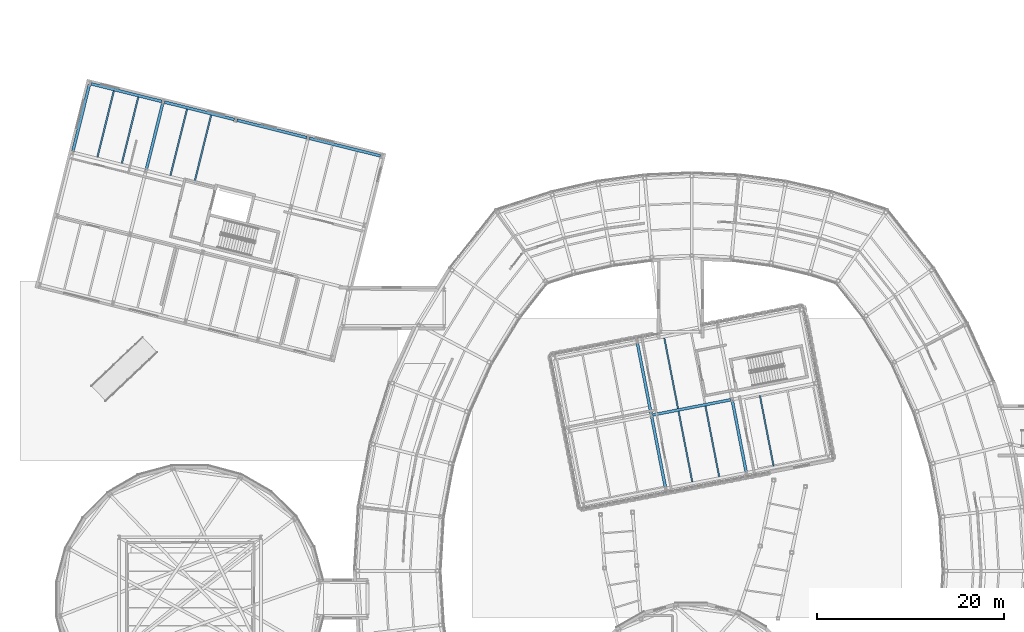
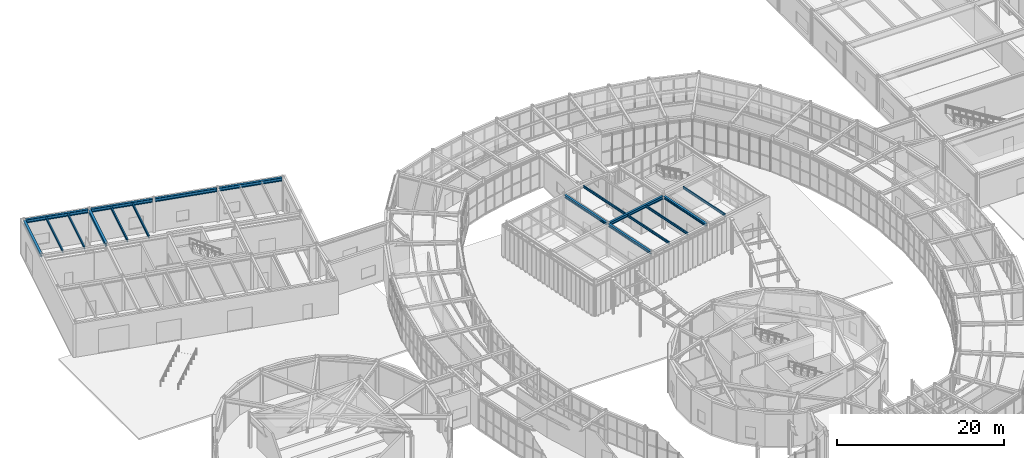
# One storey, part 44 of 97: 18 beams.
"""IFC4 building model written with IfcOpenShell, lengths in metres."""

from ifc_helpers import new_model, si_unit, direction, frame, origin, origin_2d, place, context, subcontext, project, spatial, i_section, extrude, material, material_profile, profile_set, type_object, element, save


model = new_model("IFC4")

# Units and contexts
model_context = context("Model", 3, precision=1e-05, world=origin(), true_north=direction((0.0, 1.0)))
body_context = subcontext(model_context, "Body", "Model", "MODEL_VIEW")
ifc_project = project(units=[si_unit("LENGTHUNIT", "METRE"), si_unit("AREAUNIT", "SQUARE_METRE"), si_unit("VOLUMEUNIT", "CUBIC_METRE"), si_unit("PLANEANGLEUNIT", "RADIAN"), si_unit("MASSUNIT", "GRAM", prefix="KILO")], contexts=[model_context])

# Site, building, storey
site_placement = place(None, origin())
site = spatial("IfcSite", under=ifc_project, at=site_placement, CompositionType="ELEMENT")
building_placement = place(site_placement, origin())
building = spatial("IfcBuilding", under=site, at=building_placement, Name="Varnklinge Art Gallery", CompositionType="ELEMENT")
storey_placement = place(building_placement, origin())
storey = spatial("IfcBuildingStorey", under=building, at=storey_placement, Name="L00", CompositionType="ELEMENT", Elevation=0.0)

# Beams
ifc_material_1 = material(Name="Steel S355", Category="steel")
ifc_material_profile_1 = material_profile(ifc_material_1, i_section(OverallWidth=0.300048828125, OverallDepth=0.489990234375, WebThickness=0.011962890625, FlangeThickness=0.02294921875, FilletRadius=0.027099609375, at=origin_2d()), Name="HEA 500")
ifc_profile_set_1 = profile_set([ifc_material_profile_1], Name="Steel S355")
beam_type_1 = type_object("IfcBeamType", Name="BM-07", PredefinedType="BEAM", material=ifc_profile_set_1)
beam_1_placement = place(storey_placement, frame((11.199462890625, 107.13134765625, 4.635009765625), z_axis=(0.970294736921, -0.241925863651, 0.0), x_axis=(0.241925863651, 0.970294736921, 0.0)))
element("IfcBeam", 1, at=beam_1_placement, inside=storey, type_object=beam_type_1, Name="L00 BM-07 BM-V5-L01-U3-0", PredefinedType="BEAM", context=body_context, shape_type="SweptSolid", body=[
    extrude(i_section(OverallWidth=0.300048828125, OverallDepth=0.489990234375, WebThickness=0.011962890625, FlangeThickness=0.02294921875, FilletRadius=0.027099609375, at=origin_2d()), origin(), (0.0, 0.0, 1.0), 7.81982421875),
])
beam_2_placement = place(storey_placement, frame((19.058837890625, 105.171875, 4.635009765625), z_axis=(0.970294848706, -0.241925415312, 0.0), x_axis=(0.241925415312, 0.970294848706, 0.0)))
element("IfcBeam", 2, at=beam_2_placement, inside=storey, type_object=beam_type_1, Name="L00 BM-07 BM-V5-L01-U3-1", PredefinedType="BEAM", context=body_context, shape_type="SweptSolid", body=[
    extrude(i_section(OverallWidth=0.300048828125, OverallDepth=0.489990234375, WebThickness=0.011962890625, FlangeThickness=0.02294921875, FilletRadius=0.027099609375, at=origin_2d()), origin(), (0.0, 0.0, 1.0), 7.719970703125),
])
beam_3_placement = place(storey_placement, frame((26.821044921875, 103.236328125, 4.635009765625), z_axis=(0.970304122122, -0.241888219213, 0.0), x_axis=(0.241888219213, 0.970304122122, 0.0)))
element("IfcBeam", 3, at=beam_3_placement, inside=storey, type_object=beam_type_1, Name="L00 BM-07 BM-V5-L01-U3-2", PredefinedType="BEAM", context=body_context, shape_type="SweptSolid", body=[
    extrude(i_section(OverallWidth=0.300048828125, OverallDepth=0.489990234375, WebThickness=0.011962890625, FlangeThickness=0.02294921875, FilletRadius=0.027099609375, at=origin_2d()), origin(), (0.0, 0.0, 1.0), 7.72021484375),
])
beam_4_placement = place(storey_placement, frame((34.58349609375, 101.301025390625, 4.635009765625), z_axis=(0.970296564102, -0.241918535239, 0.0), x_axis=(0.241918535239, 0.970296564102, 0.0)))
element("IfcBeam", 4, at=beam_4_placement, inside=storey, type_object=beam_type_1, Name="L00 BM-07 BM-V5-L01-U3-3", PredefinedType="BEAM", context=body_context, shape_type="SweptSolid", body=[
    extrude(i_section(OverallWidth=0.300048828125, OverallDepth=0.489990234375, WebThickness=0.011962890625, FlangeThickness=0.02294921875, FilletRadius=0.027099609375, at=origin_2d()), origin(), (0.0, 0.0, 1.0), 7.820068359375),
])
ifc_material_2 = material(Name="Steel S355", Category="steel")
ifc_material_profile_2 = material_profile(ifc_material_2, i_section(OverallWidth=0.300048828125, OverallDepth=0.43994140625, WebThickness=0.011474609375, FlangeThickness=0.02099609375, FilletRadius=0.027099609375, at=origin_2d()), Name="HEA 450")
ifc_profile_set_2 = profile_set([ifc_material_profile_2], Name="Steel S355")
beam_type_2 = type_object("IfcBeamType", Name="BM-08", PredefinedType="BEAM", material=ifc_profile_set_2)
beam_5_placement = place(storey_placement, frame((71.318115234375, 71.68701171875, 4.659912109375), z_axis=(0.981622248906, 0.19083437964, 0.0), x_axis=(-0.19083437964, 0.981622248906, 0.0)))
element("IfcBeam", 5, at=beam_5_placement, inside=storey, type_object=beam_type_2, Name="L00 BM-08 BM-V4B-L01-U1-1", PredefinedType="BEAM", context=body_context, shape_type="SweptSolid", body=[
    extrude(i_section(OverallWidth=0.300048828125, OverallDepth=0.43994140625, WebThickness=0.011474609375, FlangeThickness=0.02099609375, FilletRadius=0.027099609375, at=origin_2d()), origin(), (0.0, 0.0, 1.0), 8.520263671875),
])
for number, where, z_axis, x_axis, name in (
    (6, (9.2587890625, 99.9267578125, 4.659912109375), (0.241939157724, 0.970291422182, 0.0), (-0.970291422182, 0.241939157724, 0.0), "L00 BM-08 BM-V5-L01-V0-2"),
    (7, (17.118408203125, 97.96728515625, 4.659912109375), (0.241907757102, 0.97029925129, 0.0), (-0.97029925129, 0.241907757102, 0.0), "L00 BM-08 BM-V5-L01-V1-2"),
):
    element("IfcBeam", number, at=place(storey_placement, frame(where, z_axis=z_axis, x_axis=x_axis)), inside=storey, type_object=beam_type_2, Name=name, PredefinedType="BEAM", context=body_context, shape_type="SweptSolid", body=[
        extrude(i_section(OverallWidth=0.300048828125, OverallDepth=0.43994140625, WebThickness=0.011474609375, FlangeThickness=0.02099609375, FilletRadius=0.027099609375, at=origin_2d()), origin(), (0.0, 0.0, 1.0), 7.320068359375),
    ])
ifc_material_3 = material(Name="Steel S355", Category="steel")
ifc_material_profile_3 = material_profile(ifc_material_3, i_section(OverallWidth=0.300048828125, OverallDepth=0.389892578125, WebThickness=0.010986328125, FlangeThickness=0.01904296875, FilletRadius=0.027099609375, at=origin_2d()), Name="HEA 400")
ifc_profile_set_3 = profile_set([ifc_material_profile_3], Name="Steel S355")
beam_type_3 = type_object("IfcBeamType", Name="BM-09", PredefinedType="BEAM", material=ifc_profile_set_3)
beam_6_placement = place(storey_placement, frame((72.6806640625, 63.94482421875, 4.68505859375), z_axis=(-0.190822257393, 0.98162460548, 0.0), x_axis=(-0.98162460548, -0.190822257393, 0.0)))
element("IfcBeam", 8, at=beam_6_placement, inside=storey, type_object=beam_type_3, Name="L00 BM-09 BM-V4B-L01-V1-0", PredefinedType="BEAM", context=body_context, shape_type="SweptSolid", body=[
    extrude(i_section(OverallWidth=0.300048828125, OverallDepth=0.389892578125, WebThickness=0.010986328125, FlangeThickness=0.01904296875, FilletRadius=0.027099609375, at=origin_2d()), origin(), (0.0, 0.0, 1.0), 7.719970703125),
])
for number, where, z_axis, x_axis, name in (
    (9, (71.154052734375, 71.7978515625, 4.68505859375), (-0.190785861445, 0.981631679946, 0.0), (-0.981631679946, -0.190785861445, 0.0), "L00 BM-09 BM-V4B-L01-V1-1"),
    (10, (81.31884765625, 65.623779296875, 4.68505859375), (-0.190785861445, 0.981631679946, 0.0), (-0.981631679946, -0.190785861445, 0.0), "L00 BM-09 BM-V4B-L01-V2-0"),
):
    element("IfcBeam", number, at=place(storey_placement, frame(where, z_axis=z_axis, x_axis=x_axis)), inside=storey, type_object=beam_type_3, Name=name, PredefinedType="BEAM", context=body_context, shape_type="SweptSolid", body=[
        extrude(i_section(OverallWidth=0.300048828125, OverallDepth=0.389892578125, WebThickness=0.010986328125, FlangeThickness=0.01904296875, FilletRadius=0.027099609375, at=origin_2d()), origin(), (0.0, 0.0, 1.0), 7.72021484375),
    ])
ifc_material_4 = material(Name="Steel S355", Category="steel")
ifc_material_profile_4 = material_profile(ifc_material_4, i_section(OverallWidth=0.169921875, OverallDepth=0.360107421875, WebThickness=0.008056640625, FlangeThickness=0.0126953125, FilletRadius=0.01806640625, at=origin_2d()), Name="IPE 360")
ifc_profile_set_4 = profile_set([ifc_material_profile_4], Name="Steel S355")
beam_type_4 = type_object("IfcBeamType", Name="JST-06", PredefinedType="JOIST", material=ifc_profile_set_4)
for number, where, z_axis, x_axis, name in (
    (11, (11.878662109375, 99.273681640625, 4.699951171875), (0.241907757102, 0.97029925129, 0.0), (-0.97029925129, 0.241907757102, 0.0), "L00 JST-06 JST-V5-L01-0-2-1"),
    (12, (14.49853515625, 98.620361328125, 4.699951171875), (0.241907757102, 0.97029925129, 0.0), (-0.97029925129, 0.241907757102, 0.0), "L00 JST-06 JST-V5-L01-0-2-2"),
    (13, (19.705810546875, 97.322021484375, 4.699951171875), (0.241899928684, 0.970301202979, 0.0), (-0.970301202979, 0.241899928684, 0.0), "L00 JST-06 JST-V5-L01-1-2-1"),
    (14, (22.293212890625, 96.677001953125, 4.699951171875), (0.241907757102, 0.97029925129, 0.0), (-0.97029925129, 0.241907757102, 0.0), "L00 JST-06 JST-V5-L01-1-2-2"),
):
    element("IfcBeam", number, at=place(storey_placement, frame(where, z_axis=z_axis, x_axis=x_axis)), inside=storey, type_object=beam_type_4, Name=name, PredefinedType="JOIST", context=body_context, shape_type="SweptSolid", body=[
        extrude(i_section(OverallWidth=0.169921875, OverallDepth=0.360107421875, WebThickness=0.008056640625, FlangeThickness=0.0126953125, FilletRadius=0.01806640625, at=origin_2d()), origin(), (0.0, 0.0, 1.0), 7.320068359375),
    ])
ifc_material_5 = material(Name="Steel S355", Category="steel")
ifc_material_profile_5 = material_profile(ifc_material_5, i_section(OverallWidth=0.159912109375, OverallDepth=0.330078125, WebThickness=0.007568359375, FlangeThickness=0.011474609375, FilletRadius=0.01806640625, at=origin_2d()), Name="IPE 330")
ifc_profile_set_5 = profile_set([ifc_material_profile_5], Name="Steel S355")
beam_type_5 = type_object("IfcBeamType", Name="JST-07", PredefinedType="JOIST", material=ifc_profile_set_5)
beam_7_placement = place(storey_placement, frame((75.56005859375, 64.50439453125, 4.715087890625), z_axis=(-0.190816333803, 0.981625756974, 0.0), x_axis=(-0.981625756974, -0.190816333803, 0.0)))
element("IfcBeam", 15, at=beam_7_placement, inside=storey, type_object=beam_type_5, Name="L00 JST-07 JST-V4B-L01-1-0-1", PredefinedType="JOIST", context=body_context, shape_type="SweptSolid", body=[
    extrude(i_section(OverallWidth=0.159912109375, OverallDepth=0.330078125, WebThickness=0.007568359375, FlangeThickness=0.011474609375, FilletRadius=0.01806640625, at=origin_2d()), origin(), (0.0, 0.0, 1.0), 7.72021484375),
])
for number, where, z_axis, x_axis, name in (
    (16, (78.439453125, 65.064208984375, 4.715087890625), (-0.190822257393, 0.98162460548, 0.0), (-0.98162460548, -0.190822257393, 0.0), "L00 JST-07 JST-V4B-L01-1-0-2"),
    (17, (74.03369140625, 72.357666015625, 4.715087890625), (-0.190822257393, 0.98162460548, 0.0), (-0.98162460548, -0.190822257393, 0.0), "L00 JST-07 JST-V4B-L01-1-1-1"),
):
    element("IfcBeam", number, at=place(storey_placement, frame(where, z_axis=z_axis, x_axis=x_axis)), inside=storey, type_object=beam_type_5, Name=name, PredefinedType="JOIST", context=body_context, shape_type="SweptSolid", body=[
        extrude(i_section(OverallWidth=0.159912109375, OverallDepth=0.330078125, WebThickness=0.007568359375, FlangeThickness=0.011474609375, FilletRadius=0.01806640625, at=origin_2d()), origin(), (0.0, 0.0, 1.0), 7.719970703125),
    ])
beam_8_placement = place(storey_placement, frame((84.263916015625, 66.1962890625, 4.715087890625), z_axis=(-0.190816333803, 0.981625756974, 0.0), x_axis=(-0.981625756974, -0.190816333803, 0.0)))
element("IfcBeam", 18, at=beam_8_placement, inside=storey, type_object=beam_type_5, Name="L00 JST-07 JST-V4B-L01-2-0-1", PredefinedType="JOIST", context=body_context, shape_type="SweptSolid", body=[
    extrude(i_section(OverallWidth=0.159912109375, OverallDepth=0.330078125, WebThickness=0.007568359375, FlangeThickness=0.011474609375, FilletRadius=0.01806640625, at=origin_2d()), origin(), (0.0, 0.0, 1.0), 7.72021484375),
])

save(model, "model.ifc")
